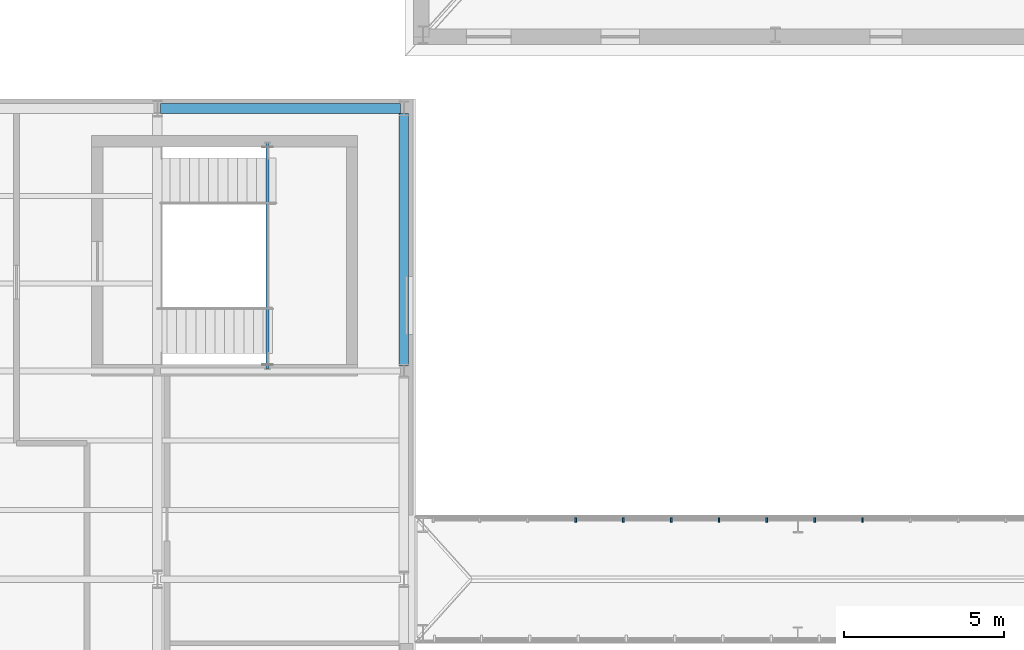
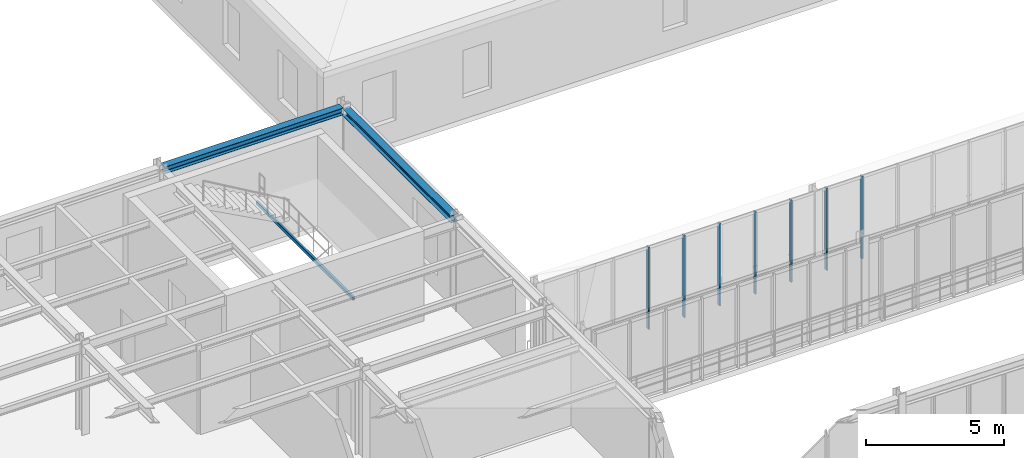
# One storey, part 20 of 57: 8 members, 2 beams, 1 element without a shape of its own.
"""IFC4 building model written with IfcOpenShell, lengths in metres."""

import ifcopenshell
import ifcopenshell.guid

model = None  # the IFC model being written
_history = None  # IfcOwnerHistory: only IFC2X3 demands one
_inside = {}  # id of a spatial element -> (the spatial element, [elements in it])
_under = {}  # id of a project, library or spatial element -> (it, [spatial elements below it])
_declared = {}  # id of a project -> (the project, [libraries it declares])
_typed = {}  # id of a type object -> (the type object, [elements of that type])
_made_of = {}  # id of a material, layer set ... -> (it, [elements and type objects made of it])


def new_model(schema):
    """Start an empty IFC model of exactly this schema.

    Asked for "IFC4X3", IfcOpenShell would pick the latest addendum, in which some entities
    have other attributes; the version numbers below select the first issue.
    IFC2X3 requires an IfcOwnerHistory on every rooted entity: one is made here for all.
    """
    global model, _history
    if schema == "IFC4X3":
        model = ifcopenshell.file(schema_version=(4, 3, 0, 0))
    else:
        model = ifcopenshell.file(schema=schema)
    _inside.clear()
    _under.clear()
    _declared.clear()
    _typed.clear()
    _made_of.clear()
    _history = None
    if model.schema == "IFC2X3":
        org = make("IfcOrganization", Name="unknown")
        user = make(
            "IfcPersonAndOrganization",
            ThePerson=make("IfcPerson", FamilyName="unknown"),
            TheOrganization=org,
        )
        app = make(
            "IfcApplication",
            ApplicationDeveloper=org,
            Version="unknown",
            ApplicationFullName="unknown",
            ApplicationIdentifier="unknown",
        )
        _history = make(
            "IfcOwnerHistory",
            OwningUser=user,
            OwningApplication=app,
            ChangeAction="ADDED",
            CreationDate=0,
        )
    return model


def make(cls, **values):
    """One entity of the class cls with the attributes given. An attribute that is None is left unset."""
    return model.create_entity(
        cls, **{name: value for name, value in values.items() if value is not None}
    )


def rooted(cls, **values):
    """An entity with a GlobalId (a new one), such as an element, a storey or a relation."""
    return make(cls, GlobalId=ifcopenshell.guid.new(), OwnerHistory=_history, **values)


def si_unit(unit_type, name, prefix=None):
    """IfcSIUnit, for example si_unit("LENGTHUNIT", "METRE", prefix="MILLI")."""
    return make("IfcSIUnit", UnitType=unit_type, Prefix=prefix, Name=name)


def assignment(units):
    """IfcUnitAssignment: the units of a project."""
    return None if units is None else make("IfcUnitAssignment", Units=units)


def point(xyz):
    """IfcCartesianPoint."""
    return None if xyz is None else make("IfcCartesianPoint", Coordinates=xyz)


def direction(xyz):
    """IfcDirection."""
    return None if xyz is None else make("IfcDirection", DirectionRatios=xyz)


def frame(location, z_axis=None, x_axis=None):
    """IfcAxis2Placement3D, a coordinate frame: its origin and axes. An axis left out is left unset."""
    return make(
        "IfcAxis2Placement3D",
        Location=point(location),
        Axis=direction(z_axis),
        RefDirection=direction(x_axis),
    )


def frame_2d(location, x_axis=None):
    """IfcAxis2Placement2D, a coordinate frame in the plane: its origin and x axis."""
    return make(
        "IfcAxis2Placement2D", Location=point(location), RefDirection=direction(x_axis)
    )


def origin():
    """The frame at (0, 0, 0) with its axes left unset."""
    return frame((0.0, 0.0, 0.0))


def origin_2d():
    """The frame at (0, 0) in the plane with its x axis left unset."""
    return frame_2d((0.0, 0.0))


def place(relative_to, where):
    """IfcLocalPlacement: puts the frame where relative to a parent placement (None: the world)."""
    return make(
        "IfcLocalPlacement", PlacementRelTo=relative_to, RelativePlacement=where
    )


def context(
    kind, dimensions, precision=None, world=None, true_north=None, identifier=None
):
    """IfcGeometricRepresentationContext, for example the 3D "Model" context."""
    return make(
        "IfcGeometricRepresentationContext",
        ContextIdentifier=identifier,
        ContextType=kind,
        CoordinateSpaceDimension=dimensions,
        Precision=precision,
        WorldCoordinateSystem=world,
        TrueNorth=true_north,
    )


def subcontext(parent, identifier, kind, view, scale=None):
    """IfcGeometricRepresentationSubContext, for example "Body" below "Model"."""
    return make(
        "IfcGeometricRepresentationSubContext",
        ContextIdentifier=identifier,
        ContextType=kind,
        ParentContext=parent,
        TargetScale=scale,
        TargetView=view,
    )


def project(units=None, contexts=None):
    """IfcProject with its units and contexts."""
    return rooted(
        "IfcProject",
        Name="project",
        RepresentationContexts=contexts,
        UnitsInContext=assignment(units),
    )


def spatial(cls, under=None, at=None, **own):
    """A site, building, storey or space (cls), placed at a placement, below another one or the project."""
    s = rooted(cls, ObjectPlacement=at, **own)
    if under is not None:
        _under.setdefault(under.id(), (under, []))[1].append(s)
    return s


def profile(cls, at=None, kind="AREA", **sizes):
    """A parametric profile (cls). Its sizes go by their IFC names, for example OverallWidth=200.0."""
    return make(cls, ProfileType=kind, Position=at, **sizes)


def rectangle(**sizes):
    """IfcRectangleProfileDef."""
    return profile("IfcRectangleProfileDef", **sizes)


def hollow_rectangle(**sizes):
    """IfcRectangleHollowProfileDef."""
    return profile("IfcRectangleHollowProfileDef", **sizes)


def i_section(**sizes):
    """IfcIShapeProfileDef."""
    return profile("IfcIShapeProfileDef", **sizes)


def extrude(swept, where, along, depth):
    """IfcExtrudedAreaSolid: the profile swept, set in the frame where, extruded along a direction by depth."""
    return make(
        "IfcExtrudedAreaSolid",
        SweptArea=swept,
        Position=where,
        ExtrudedDirection=direction(along),
        Depth=depth,
    )


def shape(context_of_items, identifier, shape_type, items):
    """IfcShapeRepresentation: the items that make up one representation, for example the "Body"."""
    return make(
        "IfcShapeRepresentation",
        ContextOfItems=context_of_items,
        RepresentationIdentifier=identifier,
        RepresentationType=shape_type,
        Items=items,
    )


def material(Name=None, Category=None):
    """IfcMaterial."""
    return make("IfcMaterial", Name=Name, Category=Category)


def layer(
    of_material, thickness, ventilated=None, Name=None, Category=None, Priority=None
):
    """IfcMaterialLayer: one layer of a wall or slab, of a material (None: an air gap)."""
    return make(
        "IfcMaterialLayer",
        Material=of_material,
        LayerThickness=thickness,
        IsVentilated=ventilated,
        Name=Name,
        Category=Category,
        Priority=Priority,
    )


def layer_set(layers, Name=None):
    """IfcMaterialLayerSet."""
    return make("IfcMaterialLayerSet", MaterialLayers=layers, LayerSetName=Name)


def material_profile(
    of_material, cross_section, Name=None, Category=None, Priority=None
):
    """IfcMaterialProfile: a cross section and its material."""
    return make(
        "IfcMaterialProfile",
        Name=Name,
        Material=of_material,
        Profile=cross_section,
        Priority=Priority,
        Category=Category,
    )


def profile_set(profiles, Name=None, composite=None):
    """IfcMaterialProfileSet."""
    return make(
        "IfcMaterialProfileSet",
        Name=Name,
        MaterialProfiles=profiles,
        CompositeProfile=composite,
    )


def made_of(thing, what):
    """Note that an element or type object is made of a material, layer set ...; save() writes the relation."""
    if what is not None:
        _made_of.setdefault(what.id(), (what, []))[1].append(thing)
    return thing


def type_object(cls, material=None, **own):
    """A type object (cls), such as IfcWallType, which elements share."""
    return made_of(rooted(cls, **own), material)


def element(
    cls,
    number,
    at=None,
    inside=None,
    cuts=None,
    type_object=None,
    material=None,
    context=None,
    identifier="Body",
    shape_type=None,
    held_by="IfcProductDefinitionShape",
    body=None,
    shapes=None,
    **own,
):
    """One element of the class cls, such as IfcWall. Its Tag is "e" and its number.

    at: its placement. inside: the storey or other place that contains it. cuts: it is an
    opening in that element (IfcRelVoidsElement). A single representation is given by context,
    identifier, shape_type and body (its items); several are given by shapes. held_by: the class
    of the entity that holds the representations. save() writes the other relations.
    """
    e = rooted(cls, Tag="e%d" % number, ObjectPlacement=at, **own)
    if body is not None:
        shapes = [shape(context, identifier, shape_type, body)]
    if shapes is not None:
        e.Representation = make(held_by, Representations=shapes)
    if inside is not None:
        _inside.setdefault(inside.id(), (inside, []))[1].append(e)
    if cuts is not None:
        rooted(
            "IfcRelVoidsElement", RelatingBuildingElement=cuts, RelatedOpeningElement=e
        )
    if type_object is not None:
        _typed.setdefault(type_object.id(), (type_object, []))[1].append(e)
    return made_of(e, material)


def aggregate(whole, parts):
    """IfcRelAggregates: a whole, such as a stair, and the parts it consists of."""
    return rooted("IfcRelAggregates", RelatingObject=whole, RelatedObjects=parts)


def save(model, path):
    """Write the relations noted so far, then the file.

    IfcRelAggregates (storeys below a building ...), IfcRelContainedInSpatialStructure (elements
    in a storey), IfcRelDefinesByType, IfcRelAssociatesMaterial and IfcRelDeclares: one each for
    every whole, place, type object, material and project.
    """
    for whole, parts in _under.values():
        aggregate(whole, parts)
    for where, things in _inside.values():
        rooted(
            "IfcRelContainedInSpatialStructure",
            RelatedElements=things,
            RelatingStructure=where,
        )
    for kind, things in _typed.values():
        rooted("IfcRelDefinesByType", RelatedObjects=things, RelatingType=kind)
    for what, things in _made_of.values():
        rooted("IfcRelAssociatesMaterial", RelatedObjects=things, RelatingMaterial=what)
    for by, libraries in _declared.values():
        rooted("IfcRelDeclares", RelatingContext=by, RelatedDefinitions=libraries)
    model.write(path)


model = new_model("IFC4")

# Units and contexts
model_context = context("Model", 3, precision=1e-05, world=origin(), true_north=direction((0.0, 1.0)))
body_context = subcontext(model_context, "Body", "Model", "MODEL_VIEW")
ifc_project = project(units=[si_unit("LENGTHUNIT", "METRE"), si_unit("AREAUNIT", "SQUARE_METRE"), si_unit("VOLUMEUNIT", "CUBIC_METRE"), si_unit("PLANEANGLEUNIT", "RADIAN"), si_unit("MASSUNIT", "GRAM", prefix="KILO"), si_unit("THERMODYNAMICTEMPERATUREUNIT", "KELVIN"), si_unit("POWERUNIT", "WATT")], contexts=[model_context])

# Site, building, storey
site_placement = place(None, origin())
site = spatial("IfcSite", under=ifc_project, at=site_placement, CompositionType="ELEMENT")
building_placement = place(site_placement, origin())
building = spatial("IfcBuilding", under=site, at=building_placement, Name="Solvatero Civic Police Headquarters", CompositionType="ELEMENT")
storey_placement = place(building_placement, frame((0.0, 0.0, 9.300048828125)))
storey = spatial("IfcBuildingStorey", under=building, at=storey_placement, Name="L02", CompositionType="ELEMENT", Elevation=9.300048828125)

# Beams
ifc_material_1 = material(Name="Steel S355", Category="steel")
ifc_material_profile_1 = material_profile(ifc_material_1, i_section(OverallWidth=0.300048828125, OverallDepth=0.31005859375, WebThickness=0.009033203125, FlangeThickness=0.015380859375, FilletRadius=0.027099609375, at=origin_2d()), Name="HEA 320")
ifc_profile_set_1 = profile_set([ifc_material_profile_1], Name="Steel S355")
beam_type = type_object("IfcBeamType", Name="BM-ST-HEA320", PredefinedType="SPANDREL", material=ifc_profile_set_1)
beam_1_placement = place(storey_placement, frame((20.60009765625, 83.199951171875, 3.844970703125), z_axis=(1.0, 0.0, 0.0), x_axis=(0.0, 1.0, 0.0)))
element("IfcBeam", 1, at=beam_1_placement, inside=storey, type_object=beam_type, Name="Perimeter / radial spandrel beam BM-R2-L02-V6-GX-3-6", PredefinedType="SPANDREL", context=body_context, shape_type="SweptSolid", body=[
    extrude(i_section(OverallWidth=0.300048828125, OverallDepth=0.31005859375, WebThickness=0.009033203125, FlangeThickness=0.015380859375, FilletRadius=0.027099609375, at=origin_2d()), origin(), (0.0, 0.0, 1.0), 7.5),
])
beam_2_placement = place(storey_placement, frame((28.199951171875, 75.159912109375, 3.844970703125), z_axis=(0.0, 1.0, 0.0), x_axis=(-1.0, 0.0, 0.0)))
element("IfcBeam", 2, at=beam_2_placement, inside=storey, type_object=beam_type, Name="Perimeter / radial spandrel beam BM-R2-L02-V6-GY-4-5", PredefinedType="SPANDREL", context=body_context, shape_type="SweptSolid", body=[
    extrude(i_section(OverallWidth=0.300048828125, OverallDepth=0.31005859375, WebThickness=0.009033203125, FlangeThickness=0.015380859375, FilletRadius=0.027099609375, at=origin_2d()), origin(), (0.0, 0.0, 1.0), 7.880126953125),
])

# Curtain wall, members
ifc_material_2 = material(Name="Anodized Bronze Aluminium", Category="aluminium")
ifc_layer = layer(ifc_material_2, 0.179931640625)
ifc_layer_set = layer_set([ifc_layer], Name="Anodized Bronze Aluminium")
curtain_wall_type = type_object("IfcCurtainWallType", Name="CW-SB-GLZ", PredefinedType="USERDEFINED", material=ifc_layer_set)
curtain_wall_placement = place(storey_placement, origin())
curtain_wall = element("IfcCurtainWall", 3, at=curtain_wall_placement, inside=storey, type_object=curtain_wall_type, Name="Curtain Wall CW-R2-L02-SB2-N", ObjectType="UNITISED", PredefinedType="USERDEFINED")
ifc_material_profile_2 = material_profile(ifc_material_2, rectangle(XDim=0.06005859375, YDim=0.139892578125, at=origin_2d()), Name="ALU MULLION 60x140")
ifc_profile_set_2 = profile_set([ifc_material_profile_2], Name="Anodized Bronze Aluminium")
member_type_1 = type_object("IfcMemberType", Name="CWM-160x65", PredefinedType="MULLION", material=ifc_profile_set_2)
member_1_placement = place(storey_placement, frame((33.55908203125, 70.35009765625, 0.0), z_axis=(0.0, 0.0, 1.0), x_axis=(1.0, 0.0, 0.0)))
member_1 = element("IfcMember", 4, at=member_1_placement, type_object=member_type_1, Name="CW-R2-L02-SB2-N Mullion 4", PredefinedType="MULLION", context=body_context, shape_type="SweptSolid", body=[
    extrude(rectangle(XDim=0.06005859375, YDim=0.139892578125, at=origin_2d()), origin(), (0.0, 0.0, 1.0), 3.64990234375),
])
member_2_placement = place(storey_placement, frame((35.05224609375, 70.35009765625, 0.0), z_axis=(0.0, 0.0, 1.0), x_axis=(1.0, 0.0, 0.0)))
member_2 = element("IfcMember", 5, at=member_2_placement, type_object=member_type_1, Name="CW-R2-L02-SB2-N Mullion 5", PredefinedType="MULLION", context=body_context, shape_type="SweptSolid", body=[
    extrude(rectangle(XDim=0.06005859375, YDim=0.139892578125, at=origin_2d()), origin(), (0.0, 0.0, 1.0), 3.64990234375),
])
member_3_placement = place(storey_placement, frame((36.545654296875, 70.35009765625, 0.0), z_axis=(0.0, 0.0, 1.0), x_axis=(1.0, 0.0, 0.0)))
member_3 = element("IfcMember", 6, at=member_3_placement, type_object=member_type_1, Name="CW-R2-L02-SB2-N Mullion 6", PredefinedType="MULLION", context=body_context, shape_type="SweptSolid", body=[
    extrude(rectangle(XDim=0.06005859375, YDim=0.139892578125, at=origin_2d()), origin(), (0.0, 0.0, 1.0), 3.64990234375),
])
member_4_placement = place(storey_placement, frame((38.038818359375, 70.35009765625, 0.0), z_axis=(0.0, 0.0, 1.0), x_axis=(1.0, 0.0, 0.0)))
member_4 = element("IfcMember", 7, at=member_4_placement, type_object=member_type_1, Name="CW-R2-L02-SB2-N Mullion 7", PredefinedType="MULLION", context=body_context, shape_type="SweptSolid", body=[
    extrude(rectangle(XDim=0.06005859375, YDim=0.139892578125, at=origin_2d()), origin(), (0.0, 0.0, 1.0), 3.64990234375),
])
member_5_placement = place(storey_placement, frame((39.5322265625, 70.35009765625, 0.0), z_axis=(0.0, 0.0, 1.0), x_axis=(1.0, 0.0, 0.0)))
member_5 = element("IfcMember", 8, at=member_5_placement, type_object=member_type_1, Name="CW-R2-L02-SB2-N Mullion 8", PredefinedType="MULLION", context=body_context, shape_type="SweptSolid", body=[
    extrude(rectangle(XDim=0.06005859375, YDim=0.139892578125, at=origin_2d()), origin(), (0.0, 0.0, 1.0), 3.64990234375),
])
member_6_placement = place(storey_placement, frame((41.025634765625, 70.35009765625, 0.0), z_axis=(0.0, 0.0, 1.0), x_axis=(1.0, 0.0, 0.0)))
member_6 = element("IfcMember", 9, at=member_6_placement, type_object=member_type_1, Name="CW-R2-L02-SB2-N Mullion 9", PredefinedType="MULLION", context=body_context, shape_type="SweptSolid", body=[
    extrude(rectangle(XDim=0.06005859375, YDim=0.139892578125, at=origin_2d()), origin(), (0.0, 0.0, 1.0), 3.64990234375),
])
member_7_placement = place(storey_placement, frame((42.518798828125, 70.35009765625, 0.0), z_axis=(0.0, 0.0, 1.0), x_axis=(1.0, 0.0, 0.0)))
member_7 = element("IfcMember", 10, at=member_7_placement, type_object=member_type_1, Name="CW-R2-L02-SB2-N Mullion 10", PredefinedType="MULLION", context=body_context, shape_type="SweptSolid", body=[
    extrude(rectangle(XDim=0.06005859375, YDim=0.139892578125, at=origin_2d()), origin(), (0.0, 0.0, 1.0), 3.64990234375),
])
aggregate(curtain_wall, [member_1, member_2, member_3, member_4, member_5, member_6, member_7])

# Member
ifc_material_profile_3 = material_profile(ifc_material_1, hollow_rectangle(XDim=0.10009765625, YDim=0.14990234375, WallThickness=0.00634765625, InnerFilletRadius=0.00634765625, OuterFilletRadius=0.0126953125, at=origin_2d()), Name="RHS 150x100x6.3")
ifc_profile_set_3 = profile_set([ifc_material_profile_3], Name="Steel S355")
member_type_2 = type_object("IfcMemberType", Name="MB-BR-RHS150", PredefinedType="BRACE", material=ifc_profile_set_3)
member_8_placement = place(storey_placement, frame((23.93994140625, 75.080078125, 1.824951171875), z_axis=(0.0, 1.0, 0.0), x_axis=(-1.0, 0.0, 0.0)))
element("IfcMember", 11, at=member_8_placement, inside=storey, type_object=member_type_2, Name="ST-C4 L02 Landing Support Beam", PredefinedType="BRACE", context=body_context, shape_type="SweptSolid", body=[
    extrude(hollow_rectangle(XDim=0.10009765625, YDim=0.14990234375, WallThickness=0.00634765625, InnerFilletRadius=0.00634765625, OuterFilletRadius=0.0126953125, at=origin_2d()), origin(), (0.0, 0.0, 1.0), 7.0400390625),
])

save(model, "model.ifc")
